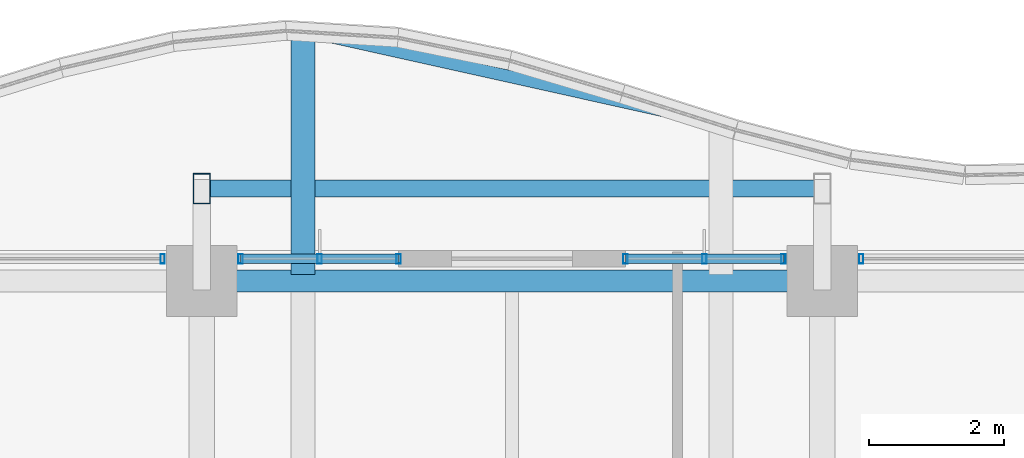
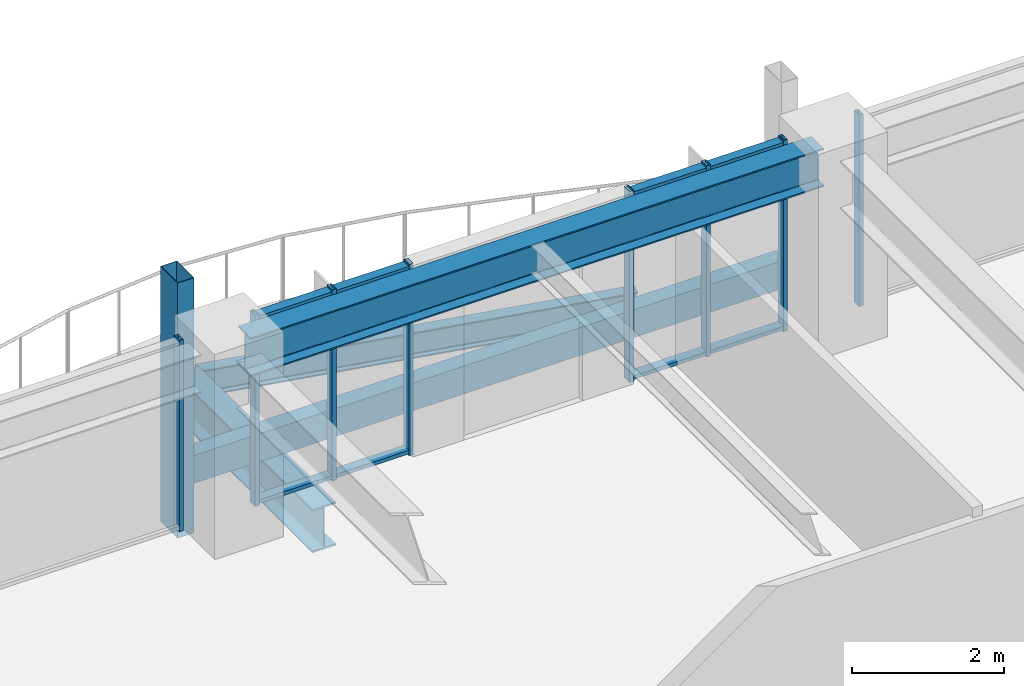
# One storey, part 22 of 38: 14 members, 3 beams, 4 elements without a shape of their own.
"""IFC4 building model written with IfcOpenShell, lengths in metres."""

import ifcopenshell
import ifcopenshell.guid

model = None  # the IFC model being written
_history = None  # IfcOwnerHistory: only IFC2X3 demands one
_inside = {}  # id of a spatial element -> (the spatial element, [elements in it])
_under = {}  # id of a project, library or spatial element -> (it, [spatial elements below it])
_declared = {}  # id of a project -> (the project, [libraries it declares])
_typed = {}  # id of a type object -> (the type object, [elements of that type])
_made_of = {}  # id of a material, layer set ... -> (it, [elements and type objects made of it])


def new_model(schema):
    """Start an empty IFC model of exactly this schema.

    Asked for "IFC4X3", IfcOpenShell would pick the latest addendum, in which some entities
    have other attributes; the version numbers below select the first issue.
    IFC2X3 requires an IfcOwnerHistory on every rooted entity: one is made here for all.
    """
    global model, _history
    if schema == "IFC4X3":
        model = ifcopenshell.file(schema_version=(4, 3, 0, 0))
    else:
        model = ifcopenshell.file(schema=schema)
    _inside.clear()
    _under.clear()
    _declared.clear()
    _typed.clear()
    _made_of.clear()
    _history = None
    if model.schema == "IFC2X3":
        org = make("IfcOrganization", Name="unknown")
        user = make(
            "IfcPersonAndOrganization",
            ThePerson=make("IfcPerson", FamilyName="unknown"),
            TheOrganization=org,
        )
        app = make(
            "IfcApplication",
            ApplicationDeveloper=org,
            Version="unknown",
            ApplicationFullName="unknown",
            ApplicationIdentifier="unknown",
        )
        _history = make(
            "IfcOwnerHistory",
            OwningUser=user,
            OwningApplication=app,
            ChangeAction="ADDED",
            CreationDate=0,
        )
    return model


def make(cls, **values):
    """One entity of the class cls with the attributes given. An attribute that is None is left unset."""
    return model.create_entity(
        cls, **{name: value for name, value in values.items() if value is not None}
    )


def rooted(cls, **values):
    """An entity with a GlobalId (a new one), such as an element, a storey or a relation."""
    return make(cls, GlobalId=ifcopenshell.guid.new(), OwnerHistory=_history, **values)


def si_unit(unit_type, name, prefix=None):
    """IfcSIUnit, for example si_unit("LENGTHUNIT", "METRE", prefix="MILLI")."""
    return make("IfcSIUnit", UnitType=unit_type, Prefix=prefix, Name=name)


def assignment(units):
    """IfcUnitAssignment: the units of a project."""
    return None if units is None else make("IfcUnitAssignment", Units=units)


def point(xyz):
    """IfcCartesianPoint."""
    return None if xyz is None else make("IfcCartesianPoint", Coordinates=xyz)


def direction(xyz):
    """IfcDirection."""
    return None if xyz is None else make("IfcDirection", DirectionRatios=xyz)


def frame(location, z_axis=None, x_axis=None):
    """IfcAxis2Placement3D, a coordinate frame: its origin and axes. An axis left out is left unset."""
    return make(
        "IfcAxis2Placement3D",
        Location=point(location),
        Axis=direction(z_axis),
        RefDirection=direction(x_axis),
    )


def frame_2d(location, x_axis=None):
    """IfcAxis2Placement2D, a coordinate frame in the plane: its origin and x axis."""
    return make(
        "IfcAxis2Placement2D", Location=point(location), RefDirection=direction(x_axis)
    )


def origin():
    """The frame at (0, 0, 0) with its axes left unset."""
    return frame((0.0, 0.0, 0.0))


def origin_2d():
    """The frame at (0, 0) in the plane with its x axis left unset."""
    return frame_2d((0.0, 0.0))


def place(relative_to, where):
    """IfcLocalPlacement: puts the frame where relative to a parent placement (None: the world)."""
    return make(
        "IfcLocalPlacement", PlacementRelTo=relative_to, RelativePlacement=where
    )


def context(
    kind, dimensions, precision=None, world=None, true_north=None, identifier=None
):
    """IfcGeometricRepresentationContext, for example the 3D "Model" context."""
    return make(
        "IfcGeometricRepresentationContext",
        ContextIdentifier=identifier,
        ContextType=kind,
        CoordinateSpaceDimension=dimensions,
        Precision=precision,
        WorldCoordinateSystem=world,
        TrueNorth=true_north,
    )


def subcontext(parent, identifier, kind, view, scale=None):
    """IfcGeometricRepresentationSubContext, for example "Body" below "Model"."""
    return make(
        "IfcGeometricRepresentationSubContext",
        ContextIdentifier=identifier,
        ContextType=kind,
        ParentContext=parent,
        TargetScale=scale,
        TargetView=view,
    )


def project(units=None, contexts=None):
    """IfcProject with its units and contexts."""
    return rooted(
        "IfcProject",
        Name="project",
        RepresentationContexts=contexts,
        UnitsInContext=assignment(units),
    )


def spatial(cls, under=None, at=None, **own):
    """A site, building, storey or space (cls), placed at a placement, below another one or the project."""
    s = rooted(cls, ObjectPlacement=at, **own)
    if under is not None:
        _under.setdefault(under.id(), (under, []))[1].append(s)
    return s


def profile(cls, at=None, kind="AREA", **sizes):
    """A parametric profile (cls). Its sizes go by their IFC names, for example OverallWidth=200.0."""
    return make(cls, ProfileType=kind, Position=at, **sizes)


def hollow_rectangle(**sizes):
    """IfcRectangleHollowProfileDef."""
    return profile("IfcRectangleHollowProfileDef", **sizes)


def i_section(**sizes):
    """IfcIShapeProfileDef."""
    return profile("IfcIShapeProfileDef", **sizes)


def extrude(swept, where, along, depth):
    """IfcExtrudedAreaSolid: the profile swept, set in the frame where, extruded along a direction by depth."""
    return make(
        "IfcExtrudedAreaSolid",
        SweptArea=swept,
        Position=where,
        ExtrudedDirection=direction(along),
        Depth=depth,
    )


def shape(context_of_items, identifier, shape_type, items):
    """IfcShapeRepresentation: the items that make up one representation, for example the "Body"."""
    return make(
        "IfcShapeRepresentation",
        ContextOfItems=context_of_items,
        RepresentationIdentifier=identifier,
        RepresentationType=shape_type,
        Items=items,
    )


def material(Name=None, Category=None):
    """IfcMaterial."""
    return make("IfcMaterial", Name=Name, Category=Category)


def material_profile(
    of_material, cross_section, Name=None, Category=None, Priority=None
):
    """IfcMaterialProfile: a cross section and its material."""
    return make(
        "IfcMaterialProfile",
        Name=Name,
        Material=of_material,
        Profile=cross_section,
        Priority=Priority,
        Category=Category,
    )


def profile_set(profiles, Name=None, composite=None):
    """IfcMaterialProfileSet."""
    return make(
        "IfcMaterialProfileSet",
        Name=Name,
        MaterialProfiles=profiles,
        CompositeProfile=composite,
    )


def made_of(thing, what):
    """Note that an element or type object is made of a material, layer set ...; save() writes the relation."""
    if what is not None:
        _made_of.setdefault(what.id(), (what, []))[1].append(thing)
    return thing


def type_object(cls, material=None, **own):
    """A type object (cls), such as IfcWallType, which elements share."""
    return made_of(rooted(cls, **own), material)


def element(
    cls,
    number,
    at=None,
    inside=None,
    cuts=None,
    type_object=None,
    material=None,
    context=None,
    identifier="Body",
    shape_type=None,
    held_by="IfcProductDefinitionShape",
    body=None,
    shapes=None,
    **own,
):
    """One element of the class cls, such as IfcWall. Its Tag is "e" and its number.

    at: its placement. inside: the storey or other place that contains it. cuts: it is an
    opening in that element (IfcRelVoidsElement). A single representation is given by context,
    identifier, shape_type and body (its items); several are given by shapes. held_by: the class
    of the entity that holds the representations. save() writes the other relations.
    """
    e = rooted(cls, Tag="e%d" % number, ObjectPlacement=at, **own)
    if body is not None:
        shapes = [shape(context, identifier, shape_type, body)]
    if shapes is not None:
        e.Representation = make(held_by, Representations=shapes)
    if inside is not None:
        _inside.setdefault(inside.id(), (inside, []))[1].append(e)
    if cuts is not None:
        rooted(
            "IfcRelVoidsElement", RelatingBuildingElement=cuts, RelatedOpeningElement=e
        )
    if type_object is not None:
        _typed.setdefault(type_object.id(), (type_object, []))[1].append(e)
    return made_of(e, material)


def aggregate(whole, parts):
    """IfcRelAggregates: a whole, such as a stair, and the parts it consists of."""
    return rooted("IfcRelAggregates", RelatingObject=whole, RelatedObjects=parts)


def save(model, path):
    """Write the relations noted so far, then the file.

    IfcRelAggregates (storeys below a building ...), IfcRelContainedInSpatialStructure (elements
    in a storey), IfcRelDefinesByType, IfcRelAssociatesMaterial and IfcRelDeclares: one each for
    every whole, place, type object, material and project.
    """
    for whole, parts in _under.values():
        aggregate(whole, parts)
    for where, things in _inside.values():
        rooted(
            "IfcRelContainedInSpatialStructure",
            RelatedElements=things,
            RelatingStructure=where,
        )
    for kind, things in _typed.values():
        rooted("IfcRelDefinesByType", RelatedObjects=things, RelatingType=kind)
    for what, things in _made_of.values():
        rooted("IfcRelAssociatesMaterial", RelatedObjects=things, RelatingMaterial=what)
    for by, libraries in _declared.values():
        rooted("IfcRelDeclares", RelatingContext=by, RelatedDefinitions=libraries)
    model.write(path)


model = new_model("IFC4")

# Units and contexts
model_context = context("Model", 3, precision=1e-05, world=origin(), true_north=direction((0.0, 1.0)))
body_context = subcontext(model_context, "Body", "Model", "MODEL_VIEW")
ifc_project = project(units=[si_unit("LENGTHUNIT", "METRE"), si_unit("AREAUNIT", "SQUARE_METRE"), si_unit("VOLUMEUNIT", "CUBIC_METRE"), si_unit("PLANEANGLEUNIT", "RADIAN"), si_unit("MASSUNIT", "GRAM", prefix="KILO")], contexts=[model_context])

# Site, building, storey
site_placement = place(None, origin())
site = spatial("IfcSite", under=ifc_project, at=site_placement, CompositionType="ELEMENT")
building_placement = place(site_placement, origin())
building = spatial("IfcBuilding", under=site, at=building_placement, Name="Kolvaren Belvedere", CompositionType="ELEMENT")
storey_placement = place(building_placement, frame((0.0, 0.0, 72.199951171875)))
storey = spatial("IfcBuildingStorey", under=building, at=storey_placement, Name="L20", CompositionType="ELEMENT", Elevation=72.199951171875)

# Beams
ifc_material_1 = material(Name="Structural steel ASTM A992 Grade 50", Category="steel")
ifc_material_profile_1 = material_profile(ifc_material_1, i_section(OverallWidth=0.35498046875, OverallDepth=0.696044921875, WebThickness=0.015380859375, FlangeThickness=0.02490234375, FilletRadius=0.02197265625, at=origin_2d()), Name="W27X146")
ifc_profile_set_1 = profile_set([ifc_material_profile_1], Name="Structural steel ASTM A992 Grade 50")
beam_type_1 = type_object("IfcBeamType", Name="BM-CANT-BAL", PredefinedType="BEAM", material=ifc_profile_set_1)
beam_1_placement = place(storey_placement, frame((-3.10009765625, 20.044921875, -0.56787109375), z_axis=(0.0, 1.0, 0.0), x_axis=(-1.0, 0.0, 0.0)))
element("IfcBeam", 1, at=beam_1_placement, inside=storey, type_object=beam_type_1, Name="L20 Planted Balcony Cantilever BAL-N-1", PredefinedType="BEAM", context=body_context, shape_type="SweptSolid", body=[
    extrude(i_section(OverallWidth=0.35498046875, OverallDepth=0.696044921875, WebThickness=0.015380859375, FlangeThickness=0.02490234375, FilletRadius=0.02197265625, at=origin_2d()), origin(), (0.0, 0.0, 1.0), 3.619140625),
])
ifc_material_2 = material(Name="Structural steel ASTM A992 Grade 50", Category="steel")
ifc_material_profile_2 = material_profile(ifc_material_2, i_section(OverallWidth=0.180908203125, OverallDepth=0.4169921875, WebThickness=0.010986328125, FlangeThickness=0.018310546875, FilletRadius=0.013916015625, at=origin_2d()), Name="W16X57")
ifc_profile_set_2 = profile_set([ifc_material_profile_2], Name="Structural steel ASTM A992 Grade 50")
beam_type_2 = type_object("IfcBeamType", Name="BM-EDGE-W16X57", PredefinedType="BEAM", material=ifc_profile_set_2)
beam_2_placement = place(storey_placement, frame((-2.96337890625, 23.6337890625, -0.428466796875), z_axis=(0.976133101582, -0.217173129084, 0.0), x_axis=(0.217173129084, 0.976133101582, 0.0)))
element("IfcBeam", 2, at=beam_2_placement, inside=storey, type_object=beam_type_2, Name="L20 Balcony Tip Header Beam BAL-N", PredefinedType="BEAM", context=body_context, shape_type="SweptSolid", body=[
    extrude(i_section(OverallWidth=0.180908203125, OverallDepth=0.4169921875, WebThickness=0.010986328125, FlangeThickness=0.018310546875, FilletRadius=0.013916015625, at=origin_2d()), origin(), (0.0, 0.0, 1.0), 6.07177734375),
])
ifc_material_3 = material(Name="Structural steel ASTM A992 Grade 50", Category="steel")
ifc_material_profile_3 = material_profile(ifc_material_3, i_section(OverallWidth=0.324951171875, OverallDepth=0.615966796875, WebThickness=0.013916015625, FlangeThickness=0.021484375, FilletRadius=0.02001953125, at=origin_2d()), Name="W24X117")
ifc_profile_set_3 = profile_set([ifc_material_profile_3], Name="Structural steel ASTM A992 Grade 50")
beam_type_3 = type_object("IfcBeamType", Name="BM-SPAN-W24X117", PredefinedType="SPANDREL", material=ifc_profile_set_3)
beam_3_placement = place(storey_placement, frame((4.36376953125, 19.949951171875, 2.77197265625), z_axis=(-1.0, 0.0, 0.0), x_axis=(0.0, -1.0, 0.0)))
element("IfcBeam", 3, at=beam_3_placement, inside=storey, type_object=beam_type_3, Name="L20 Perimeter Spandrel N3-N2", PredefinedType="SPANDREL", context=body_context, shape_type="SweptSolid", body=[
    extrude(i_section(OverallWidth=0.324951171875, OverallDepth=0.615966796875, WebThickness=0.013916015625, FlangeThickness=0.021484375, FilletRadius=0.02001953125, at=origin_2d()), origin(), (0.0, 0.0, 1.0), 8.7275390625),
])

# Curtain wall, member
ifc_material_4 = material(Name="Anodised pale-metal aluminium AA 6063-T6", Category="aluminium")
curtain_wall_type = type_object("IfcCurtainWallType", Name="CW-Z2-MID", PredefinedType="NOTDEFINED", material=ifc_material_4)
curtain_wall_1_placement = place(storey_placement, origin())
curtain_wall_1 = element("IfcCurtainWall", 4, at=curtain_wall_1_placement, inside=storey, type_object=curtain_wall_type, Name="L20 Unitised Curtain Wall FCW-L20-N1-B1", PredefinedType="NOTDEFINED")
ifc_material_5 = material(Name="Anodised pale-metal aluminium AA 6063-T6", Category="aluminium")
ifc_material_profile_4 = material_profile(ifc_material_5, hollow_rectangle(XDim=0.06494140625, YDim=0.139892578125, WallThickness=0.00390625, at=origin_2d()), Name="ALU-MUL-140X65")
ifc_profile_set_4 = profile_set([ifc_material_profile_4], Name="Anodised pale-metal aluminium AA 6063-T6")
member_type_1 = type_object("IfcMemberType", Name="CW-MUL-140", PredefinedType="MULLION", material=ifc_profile_set_4)
member_1_placement = place(storey_placement, frame((-5.177490234375, 20.280029296875, 0.0), z_axis=(0.0, 0.0, 1.0), x_axis=(1.0, 0.0, 0.0)))
member_1 = element("IfcMember", 5, at=member_1_placement, type_object=member_type_1, Name="FCW-L20-N1-B1 Unitised Mullion 3", PredefinedType="MULLION", context=body_context, shape_type="SweptSolid", body=[
    extrude(hollow_rectangle(XDim=0.06494140625, YDim=0.139892578125, WallThickness=0.00390625, at=origin_2d()), origin(), (0.0, 0.0, 1.0), 3.080078125),
])
aggregate(curtain_wall_1, [member_1])

# Curtain wall, members
curtain_wall_2_placement = place(storey_placement, origin())
curtain_wall_2 = element("IfcCurtainWall", 6, at=curtain_wall_2_placement, inside=storey, type_object=curtain_wall_type, Name="L20 Unitised Curtain Wall FCW-L20-N1-B2", PredefinedType="NOTDEFINED")
member_2_placement = place(storey_placement, frame((-4.0224609375, 20.280029296875, 0.0), z_axis=(0.0, 0.0, 1.0), x_axis=(1.0, 0.0, 0.0)))
member_2 = element("IfcMember", 7, at=member_2_placement, type_object=member_type_1, Name="FCW-L20-N1-B2 Unitised Mullion 1", PredefinedType="MULLION", context=body_context, shape_type="SweptSolid", body=[
    extrude(hollow_rectangle(XDim=0.06494140625, YDim=0.139892578125, WallThickness=0.00390625, at=origin_2d()), origin(), (0.0, 0.0, 1.0), 3.080078125),
])
member_3_placement = place(storey_placement, frame((-2.851318359375, 20.280029296875, 0.0), z_axis=(0.0, 0.0, 1.0), x_axis=(1.0, 0.0, 0.0)))
member_3 = element("IfcMember", 8, at=member_3_placement, type_object=member_type_1, Name="FCW-L20-N1-B2 Unitised Mullion 2", PredefinedType="MULLION", context=body_context, shape_type="SweptSolid", body=[
    extrude(hollow_rectangle(XDim=0.06494140625, YDim=0.139892578125, WallThickness=0.00390625, at=origin_2d()), origin(), (0.0, 0.0, 1.0), 3.080078125),
])
member_4_placement = place(storey_placement, frame((-1.679931640625, 20.280029296875, 0.0), z_axis=(0.0, 0.0, 1.0), x_axis=(1.0, 0.0, 0.0)))
member_4 = element("IfcMember", 9, at=member_4_placement, type_object=member_type_1, Name="FCW-L20-N1-B2 Unitised Mullion 3", PredefinedType="MULLION", context=body_context, shape_type="SweptSolid", body=[
    extrude(hollow_rectangle(XDim=0.06494140625, YDim=0.139892578125, WallThickness=0.00390625, at=origin_2d()), origin(), (0.0, 0.0, 1.0), 3.080078125),
])

curtain_wall_3_placement = place(storey_placement, origin())
curtain_wall_3 = element("IfcCurtainWall", 10, at=curtain_wall_3_placement, inside=storey, type_object=curtain_wall_type, Name="L20 Unitised Curtain Wall FCW-L20-N2-B1", PredefinedType="NOTDEFINED")
member_5_placement = place(storey_placement, frame((1.679931640625, 20.280029296875, 0.0), z_axis=(0.0, 0.0, 1.0), x_axis=(1.0, 0.0, 0.0)))
member_5 = element("IfcMember", 11, at=member_5_placement, type_object=member_type_1, Name="FCW-L20-N2-B1 Unitised Mullion 1", PredefinedType="MULLION", context=body_context, shape_type="SweptSolid", body=[
    extrude(hollow_rectangle(XDim=0.06494140625, YDim=0.139892578125, WallThickness=0.00390625, at=origin_2d()), origin(), (0.0, 0.0, 1.0), 3.080078125),
])
member_6_placement = place(storey_placement, frame((2.851318359375, 20.280029296875, 0.0), z_axis=(0.0, 0.0, 1.0), x_axis=(1.0, 0.0, 0.0)))
member_6 = element("IfcMember", 12, at=member_6_placement, type_object=member_type_1, Name="FCW-L20-N2-B1 Unitised Mullion 2", PredefinedType="MULLION", context=body_context, shape_type="SweptSolid", body=[
    extrude(hollow_rectangle(XDim=0.06494140625, YDim=0.139892578125, WallThickness=0.00390625, at=origin_2d()), origin(), (0.0, 0.0, 1.0), 3.080078125),
])
member_7_placement = place(storey_placement, frame((4.0224609375, 20.280029296875, 0.0), z_axis=(0.0, 0.0, 1.0), x_axis=(1.0, 0.0, 0.0)))
member_7 = element("IfcMember", 13, at=member_7_placement, type_object=member_type_1, Name="FCW-L20-N2-B1 Unitised Mullion 3", PredefinedType="MULLION", context=body_context, shape_type="SweptSolid", body=[
    extrude(hollow_rectangle(XDim=0.06494140625, YDim=0.139892578125, WallThickness=0.00390625, at=origin_2d()), origin(), (0.0, 0.0, 1.0), 3.080078125),
])

# Curtain wall, member
curtain_wall_4_placement = place(storey_placement, origin())
curtain_wall_4 = element("IfcCurtainWall", 14, at=curtain_wall_4_placement, inside=storey, type_object=curtain_wall_type, Name="L20 Unitised Curtain Wall FCW-L20-N2-B2", PredefinedType="NOTDEFINED")
member_8_placement = place(storey_placement, frame((5.177490234375, 20.280029296875, 0.0), z_axis=(0.0, 0.0, 1.0), x_axis=(1.0, 0.0, 0.0)))
member_8 = element("IfcMember", 15, at=member_8_placement, type_object=member_type_1, Name="FCW-L20-N2-B2 Unitised Mullion 1", PredefinedType="MULLION", context=body_context, shape_type="SweptSolid", body=[
    extrude(hollow_rectangle(XDim=0.06494140625, YDim=0.139892578125, WallThickness=0.00390625, at=origin_2d()), origin(), (0.0, 0.0, 1.0), 3.080078125),
])
aggregate(curtain_wall_4, [member_8])

# Member
ifc_material_6 = material(Name="Anodised pale-metal aluminium AA 6063-T6", Category="aluminium")
ifc_material_profile_5 = material_profile(ifc_material_6, hollow_rectangle(XDim=0.06005859375, YDim=0.139892578125, WallThickness=0.00390625, at=origin_2d()), Name="ALU-TRN-140X60")
ifc_profile_set_5 = profile_set([ifc_material_profile_5], Name="Anodised pale-metal aluminium AA 6063-T6")
member_type_2 = type_object("IfcMemberType", Name="CW-TRN-140", PredefinedType="USERDEFINED", material=ifc_profile_set_5)
member_9_placement = place(storey_placement, frame((-4.0224609375, 20.280029296875, 0.06005859375), z_axis=(1.0, 0.0, 0.0), x_axis=(0.0, 0.0, 1.0)))
member_9 = element("IfcMember", 16, at=member_9_placement, type_object=member_type_2, Name="FCW-L20-N1-B2 Sill Transom", ObjectType="TRANSOM", PredefinedType="USERDEFINED", context=body_context, shape_type="SweptSolid", body=[
    extrude(hollow_rectangle(XDim=0.06005859375, YDim=0.139892578125, WallThickness=0.00390625, at=origin_2d()), origin(), (0.0, 0.0, 1.0), 2.342529296875),
])

member_10_placement = place(storey_placement, frame((-4.0224609375, 20.280029296875, 3.02001953125), z_axis=(1.0, 0.0, 0.0), x_axis=(0.0, 0.0, 1.0)))
member_10 = element("IfcMember", 17, at=member_10_placement, type_object=member_type_2, Name="FCW-L20-N1-B2 Head Transom", ObjectType="TRANSOM", PredefinedType="USERDEFINED", context=body_context, shape_type="SweptSolid", body=[
    extrude(hollow_rectangle(XDim=0.06005859375, YDim=0.139892578125, WallThickness=0.00390625, at=origin_2d()), origin(), (0.0, 0.0, 1.0), 2.342529296875),
])

aggregate(curtain_wall_2, [member_2, member_3, member_4, member_9, member_10])

member_11_placement = place(storey_placement, frame((1.679931640625, 20.280029296875, 0.06005859375), z_axis=(1.0, 0.0, 0.0), x_axis=(0.0, 0.0, 1.0)))
member_11 = element("IfcMember", 18, at=member_11_placement, type_object=member_type_2, Name="FCW-L20-N2-B1 Sill Transom", ObjectType="TRANSOM", PredefinedType="USERDEFINED", context=body_context, shape_type="SweptSolid", body=[
    extrude(hollow_rectangle(XDim=0.06005859375, YDim=0.139892578125, WallThickness=0.00390625, at=origin_2d()), origin(), (0.0, 0.0, 1.0), 2.342529296875),
])

member_12_placement = place(storey_placement, frame((1.679931640625, 20.280029296875, 3.02001953125), z_axis=(1.0, 0.0, 0.0), x_axis=(0.0, 0.0, 1.0)))
member_12 = element("IfcMember", 19, at=member_12_placement, type_object=member_type_2, Name="FCW-L20-N2-B1 Head Transom", ObjectType="TRANSOM", PredefinedType="USERDEFINED", context=body_context, shape_type="SweptSolid", body=[
    extrude(hollow_rectangle(XDim=0.06005859375, YDim=0.139892578125, WallThickness=0.00390625, at=origin_2d()), origin(), (0.0, 0.0, 1.0), 2.342529296875),
])

aggregate(curtain_wall_3, [member_5, member_6, member_7, member_11, member_12])

# Members
ifc_material_7 = material(Name="Anodised pale-metal aluminium AA 6063-T6", Category="aluminium")
ifc_material_profile_6 = material_profile(ifc_material_7, hollow_rectangle(XDim=0.25, YDim=0.449951171875, WallThickness=0.008544921875, at=origin_2d()), Name="ALU-PF-450X250")
ifc_profile_set_6 = profile_set([ifc_material_profile_6], Name="Anodised pale-metal aluminium AA 6063-T6")
member_type_3 = type_object("IfcMemberType", Name="PF-FRAME-450", PredefinedType="USERDEFINED", material=ifc_profile_set_6)
member_13_placement = place(storey_placement, frame((-4.60009765625, 21.320068359375, -0.81005859375), z_axis=(0.0, 0.0, 1.0), x_axis=(1.0, 0.0, 0.0)))
element("IfcMember", 20, at=member_13_placement, inside=storey, type_object=member_type_3, Name="L20 Outboard Picture-Frame Vertical N1", ObjectType="PICTURE FRAME FIN", PredefinedType="USERDEFINED", context=body_context, shape_type="SweptSolid", body=[
    extrude(hollow_rectangle(XDim=0.25, YDim=0.449951171875, WallThickness=0.008544921875, at=origin_2d()), origin(), (0.0, 0.0, 1.0), 4.110107421875),
])
member_14_placement = place(storey_placement, frame((-4.60009765625, 21.320068359375, 0.130126953125), z_axis=(1.0, 0.0, 0.0), x_axis=(0.0, 1.0, 0.0)))
element("IfcMember", 21, at=member_14_placement, inside=storey, type_object=member_type_3, Name="L20 Outboard Picture-Frame Sill N", ObjectType="PICTURE FRAME FIN", PredefinedType="USERDEFINED", context=body_context, shape_type="SweptSolid", body=[
    extrude(hollow_rectangle(XDim=0.25, YDim=0.449951171875, WallThickness=0.008544921875, at=origin_2d()), origin(), (0.0, 0.0, 1.0), 9.2001953125),
])

save(model, "model.ifc")
